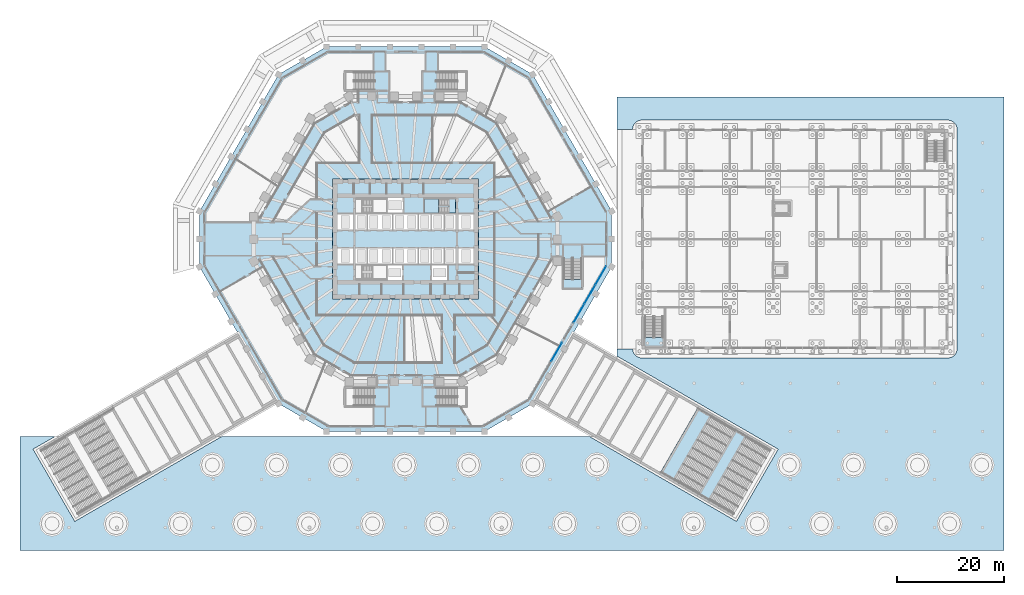
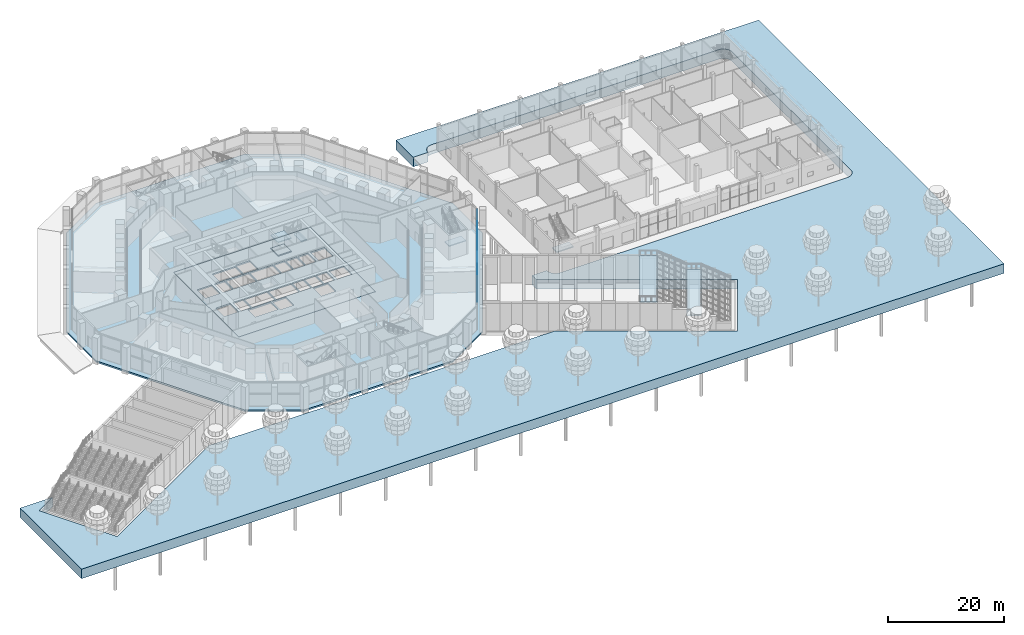
# One storey, part 13 of 44: 10 slabs, 8 plates, 6 elements without a shape of their own.
"""IFC4 building model written with IfcOpenShell, lengths in metres."""

from ifc_helpers import new_model, si_unit, direction, frame, origin, origin_2d, place, context, subcontext, project, spatial, polyline, rectangle, outline, extrude, material, layer, layer_set, type_object, element, aggregate, save


model = new_model("IFC4")

# Units and contexts
model_context = context("Model", 3, precision=1e-05, world=origin(), true_north=direction((0.0, 1.0)))
body_context = subcontext(model_context, "Body", "Model", "MODEL_VIEW")
ifc_project = project(units=[si_unit("LENGTHUNIT", "METRE"), si_unit("AREAUNIT", "SQUARE_METRE"), si_unit("VOLUMEUNIT", "CUBIC_METRE"), si_unit("PLANEANGLEUNIT", "RADIAN"), si_unit("MASSUNIT", "GRAM", prefix="KILO")], contexts=[model_context])

# Site, building, storey
site_placement = place(None, origin())
site = spatial("IfcSite", under=ifc_project, at=site_placement, CompositionType="ELEMENT")
building_placement = place(site_placement, origin())
building = spatial("IfcBuilding", under=site, at=building_placement, Name="Frailejon Research Tower", CompositionType="ELEMENT")
storey_placement = place(building_placement, origin())
storey = spatial("IfcBuildingStorey", under=building, at=storey_placement, Name="L00", CompositionType="ELEMENT", Elevation=0.0)

# Stair, slabs
ifc_material_1 = material(Name="Concrete C35/45", Category="concrete")
stair_type_1 = type_object("IfcStairType", Name="Broad stair", PredefinedType="STRAIGHT_RUN_STAIR", material=ifc_material_1)
stair_1_placement = place(storey_placement, origin())
stair_1 = element("IfcStair", 1, at=stair_1_placement, inside=storey, type_object=stair_type_1, Name="Broad stair E1", PredefinedType="STRAIGHT_RUN_STAIR")
ifc_material_2 = material(Name="Concrete C35/45", Category="concrete")
ifc_layer_1 = layer(ifc_material_2, 0.199951171875)
ifc_layer_set_1 = layer_set([ifc_layer_1], Name="Broad stair landing")
slab_type_1 = type_object("IfcSlabType", Name="Broad stair landing", PredefinedType="LANDING", material=ifc_layer_set_1)
slab_1_placement = place(storey_placement, frame((0.0, 0.0, 5.39990234375)))
slab_1 = element("IfcSlab", 2, at=slab_1_placement, type_object=slab_type_1, Name="SS-E1 landing 1", PredefinedType="LANDING", context=body_context, shape_type="SweptSolid", body=[
    extrude(outline(polyline([(47.689453125, -43.699462890625), (50.374267578125, -45.24951171875), (57.374267578125, -33.125), (54.689453125, -31.574951171875), (47.689453125, -43.699462890625)])), origin(), (0.0, 0.0, 1.0), 0.2001953125),
])
slab_2_placement = place(storey_placement, frame((0.0, 0.0, 2.60009765625)))
slab_2 = element("IfcSlab", 3, at=slab_2_placement, type_object=slab_type_1, Name="SS-E1 landing 2", PredefinedType="LANDING", context=body_context, shape_type="SweptSolid", body=[
    extrude(outline(polyline([(54.704345703125, -47.74951171875), (56.9560546875, -49.04931640625), (63.9560546875, -36.925048828125), (61.704345703125, -35.625), (54.704345703125, -47.74951171875)])), origin(), (0.0, 0.0, 1.0), 0.199951171875),
])
aggregate(stair_1, [slab_1, slab_2])

# Slab
ifc_material_3 = material(Name="Concrete C70/85", Category="concrete")
ifc_layer_2 = layer(ifc_material_3, 0.300048828125)
ifc_layer_set_2 = layer_set([ifc_layer_2], Name="Core floor slab 300 C70/85")
slab_type_2 = type_object("IfcSlabType", Name="Core floor slab 300 C70/85", PredefinedType="FLOOR", material=ifc_layer_set_2)
slab_3_placement = place(storey_placement, frame((0.0, 0.0, -0.300048828125)))
element("IfcSlab", 4, at=slab_3_placement, inside=storey, type_object=slab_type_2, Name="Core floor slab", PredefinedType="FLOOR", context=body_context, shape_type="SweptSolid", body=[
    extrude(outline(polyline([(13.64990234375, -11.25), (13.64990234375, 11.25), (-13.64990234375, 11.25), (-13.64990234375, -11.25), (13.64990234375, -11.25)]), holes=[polyline([(-9.85009765625, 1.75), (-9.85009765625, 4.64990234375), (-12.75, 4.64990234375), (-12.75, 1.75), (-9.85009765625, 1.75)]), polyline([(-7.300048828125, 1.75), (-7.300048828125, 4.64990234375), (-9.35009765625, 4.64990234375), (-9.35009765625, 1.75), (-7.300048828125, 1.75)]), polyline([(-2.5, 1.75), (-2.5, 4.64990234375), (-7.10009765625, 4.64990234375), (-7.10009765625, 1.75), (-2.5, 1.75)]), polyline([(2.300048828125, 1.75), (2.300048828125, 4.64990234375), (-2.300048828125, 4.64990234375), (-2.300048828125, 1.75), (2.300048828125, 1.75)]), polyline([(4.699951171875, 1.75), (4.699951171875, 4.64990234375), (2.5, 4.64990234375), (2.5, 1.75), (4.699951171875, 1.75)]), polyline([(7.10009765625, 1.75), (7.10009765625, 4.64990234375), (4.89990234375, 4.64990234375), (4.89990234375, 1.75), (7.10009765625, 1.75)]), polyline([(9.35009765625, 1.75), (9.35009765625, 4.64990234375), (7.300048828125, 4.64990234375), (7.300048828125, 1.75), (9.35009765625, 1.75)]), polyline([(12.75, 1.75), (12.75, 4.64990234375), (9.85009765625, 4.64990234375), (9.85009765625, 1.75), (12.75, 1.75)]), polyline([(-9.85009765625, -4.64990234375), (-9.85009765625, -1.75), (-12.75, -1.75), (-12.75, -4.64990234375), (-9.85009765625, -4.64990234375)]), polyline([(-7.300048828125, -4.64990234375), (-7.300048828125, -1.75), (-9.35009765625, -1.75), (-9.35009765625, -4.64990234375), (-7.300048828125, -4.64990234375)]), polyline([(-2.5, -4.64990234375), (-2.5, -1.75), (-7.10009765625, -1.75), (-7.10009765625, -4.64990234375), (-2.5, -4.64990234375)]), polyline([(2.300048828125, -4.64990234375), (2.300048828125, -1.75), (-2.300048828125, -1.75), (-2.300048828125, -4.64990234375), (2.300048828125, -4.64990234375)]), polyline([(4.699951171875, -4.64990234375), (4.699951171875, -1.75), (2.5, -1.75), (2.5, -4.64990234375), (4.699951171875, -4.64990234375)]), polyline([(7.10009765625, -4.64990234375), (7.10009765625, -1.75), (4.89990234375, -1.75), (4.89990234375, -4.64990234375), (7.10009765625, -4.64990234375)]), polyline([(9.35009765625, -4.64990234375), (9.35009765625, -1.75), (7.300048828125, -1.75), (7.300048828125, -4.64990234375), (9.35009765625, -4.64990234375)]), polyline([(12.75, -4.64990234375), (12.75, -1.75), (9.85009765625, -1.75), (9.85009765625, -4.64990234375), (12.75, -4.64990234375)]), polyline([(-8.14697265625, 4.89990234375), (-3.550048828125, 4.89990234375), (-3.550048828125, 7.449951171875), (-8.14697265625, 7.449951171875), (-8.14697265625, 4.89990234375)]), polyline([(-8.14697265625, -7.449951171875), (-3.550048828125, -7.449951171875), (-3.550048828125, -4.89990234375), (-8.14697265625, -4.89990234375), (-8.14697265625, -7.449951171875)]), polyline([(-0.60009765625, -7.699951171875), (-0.60009765625, -4.89990234375), (-3.300048828125, -4.89990234375), (-3.300048828125, -7.699951171875), (-0.60009765625, -7.699951171875)]), polyline([(7.800048828125, -7.699951171875), (7.800048828125, -4.89990234375), (4.89990234375, -4.89990234375), (4.89990234375, -7.699951171875), (7.800048828125, -7.699951171875)]), polyline([(-0.5, 4.89990234375), (-0.5, 7.699951171875), (-3.300048828125, 7.699951171875), (-3.300048828125, 4.89990234375), (-0.5, 4.89990234375)])]), origin(), (0.0, 0.0, 1.0), 0.300048828125),
])

# Stair, slab
ifc_material_4 = material(Name="Concrete C35/45", Category="concrete")
stair_type_2 = type_object("IfcStairType", Name="HC stair", PredefinedType="HALF_TURN_STAIR", material=ifc_material_4)
stair_2_placement = place(storey_placement, origin())
stair_2 = element("IfcStair", 5, at=stair_2_placement, inside=storey, type_object=stair_type_2, Name="L00 HC stair A", PredefinedType="HALF_TURN_STAIR")
ifc_material_5 = material(Name="Concrete C35/45", Category="concrete")
ifc_layer_3 = layer(ifc_material_5, 0.199951171875)
ifc_layer_set_3 = layer_set([ifc_layer_3], Name="HC stair landing")
slab_type_3 = type_object("IfcSlabType", Name="HC stair landing", PredefinedType="LANDING", material=ifc_layer_set_3)
slab_4_placement = place(storey_placement, frame((0.0, 0.0, 2.60009765625)))
slab_4 = element("IfcSlab", 6, at=slab_4_placement, type_object=slab_type_3, Name="HS-A landing 1", PredefinedType="LANDING", context=body_context, shape_type="SweptSolid", body=[
    extrude(outline(polyline([(44.800048828125, -18.419921875), (44.800048828125, -20.02001953125), (48.14990234375, -20.02001953125), (48.14990234375, -18.419921875), (44.800048828125, -18.419921875)])), origin(), (0.0, 0.0, 1.0), 0.199951171875),
])
aggregate(stair_2, [slab_4])

# Curtain wall, plates
ifc_material_6 = material(Name="Aluminium curtain wall", Category="aluminium")
curtain_wall_type = type_object("IfcCurtainWallType", Name="Lobby atrium curtain wall system", PredefinedType="NOTDEFINED", material=ifc_material_6)
curtain_wall_1_placement = place(storey_placement, origin())
curtain_wall_1 = element("IfcCurtainWall", 7, at=curtain_wall_1_placement, inside=storey, type_object=curtain_wall_type, Name="Curtain wall L00", PredefinedType="NOTDEFINED")
ifc_material_7 = material(Name="Clear laminated glass", Category="glass")
ifc_layer_4 = layer(ifc_material_7, 0.035888671875)
ifc_layer_set_4 = layer_set([ifc_layer_4], Name="Lobby atrium curtain wall glass panel 36")
plate_type = type_object("IfcPlateType", Name="Lobby atrium curtain wall glass panel 36", PredefinedType="CURTAIN_PANEL", material=ifc_layer_set_4)
plate_1_placement = place(storey_placement, frame((28.2666015625, -21.140625, 0.080078125), z_axis=(0.0, 0.0, 1.0), x_axis=(0.499999762196, 0.866025541081, 0.0)))
plate_1 = element("IfcPlate", 8, at=plate_1_placement, type_object=plate_type, Name="CW1-019 panel 3.1", PredefinedType="CURTAIN_PANEL", context=body_context, shape_type="SweptSolid", body=[
    extrude(rectangle(XDim=3.989990234375, YDim=0.035888671875, at=origin_2d()), origin(), (0.0, 0.0, 1.0), 2.679931640625),
])
plate_2_placement = place(storey_placement, frame((28.2666015625, -21.140625, 2.83984375), z_axis=(0.0, 0.0, 1.0), x_axis=(0.499999762196, 0.866025541081, 0.0)))
plate_2 = element("IfcPlate", 9, at=plate_2_placement, type_object=plate_type, Name="CW1-019 panel 3.2", PredefinedType="CURTAIN_PANEL", context=body_context, shape_type="SweptSolid", body=[
    extrude(rectangle(XDim=3.989990234375, YDim=0.035888671875, at=origin_2d()), origin(), (0.0, 0.0, 1.0), 2.330078125),
])
aggregate(curtain_wall_1, [plate_1, plate_2])

curtain_wall_2_placement = place(storey_placement, origin())
curtain_wall_2 = element("IfcCurtainWall", 10, at=curtain_wall_2_placement, inside=storey, type_object=curtain_wall_type, Name="Curtain wall L00", PredefinedType="NOTDEFINED")
plate_3_placement = place(storey_placement, frame((32.441650390625, -13.9091796875, 0.080078125), z_axis=(0.0, 0.0, 1.0), x_axis=(0.499999762196, 0.866025541081, 0.0)))
plate_3 = element("IfcPlate", 11, at=plate_3_placement, type_object=plate_type, Name="CW1-020 panel 1.1", PredefinedType="CURTAIN_PANEL", context=body_context, shape_type="SweptSolid", body=[
    extrude(rectangle(XDim=3.989990234375, YDim=0.035888671875, at=origin_2d()), origin(), (0.0, 0.0, 1.0), 2.679931640625),
])
plate_4_placement = place(storey_placement, frame((32.441650390625, -13.9091796875, 2.83984375), z_axis=(0.0, 0.0, 1.0), x_axis=(0.499999762196, 0.866025541081, 0.0)))
plate_4 = element("IfcPlate", 12, at=plate_4_placement, type_object=plate_type, Name="CW1-020 panel 1.2", PredefinedType="CURTAIN_PANEL", context=body_context, shape_type="SweptSolid", body=[
    extrude(rectangle(XDim=3.989990234375, YDim=0.035888671875, at=origin_2d()), origin(), (0.0, 0.0, 1.0), 2.330078125),
])
plate_5_placement = place(storey_placement, frame((34.48681640625, -10.3671875, 0.080078125), z_axis=(0.0, 0.0, 1.0), x_axis=(0.499999762196, 0.866025541081, 0.0)))
plate_5 = element("IfcPlate", 13, at=plate_5_placement, type_object=plate_type, Name="CW1-020 panel 2.1", PredefinedType="CURTAIN_PANEL", context=body_context, shape_type="SweptSolid", body=[
    extrude(rectangle(XDim=4.030029296875, YDim=0.035888671875, at=origin_2d()), origin(), (0.0, 0.0, 1.0), 2.679931640625),
])
plate_6_placement = place(storey_placement, frame((34.48681640625, -10.3671875, 2.83984375), z_axis=(0.0, 0.0, 1.0), x_axis=(0.499999762196, 0.866025541081, 0.0)))
plate_6 = element("IfcPlate", 14, at=plate_6_placement, type_object=plate_type, Name="CW1-020 panel 2.2", PredefinedType="CURTAIN_PANEL", context=body_context, shape_type="SweptSolid", body=[
    extrude(rectangle(XDim=4.030029296875, YDim=0.035888671875, at=origin_2d()), origin(), (0.0, 0.0, 1.0), 2.330078125),
])
plate_7_placement = place(storey_placement, frame((36.53173828125, -6.8251953125, 0.080078125), z_axis=(0.0, 0.0, 1.0), x_axis=(0.499999762196, 0.866025541081, 0.0)))
plate_7 = element("IfcPlate", 15, at=plate_7_placement, type_object=plate_type, Name="CW1-020 panel 3.1", PredefinedType="CURTAIN_PANEL", context=body_context, shape_type="SweptSolid", body=[
    extrude(rectangle(XDim=3.989990234375, YDim=0.035888671875, at=origin_2d()), origin(), (0.0, 0.0, 1.0), 2.679931640625),
])
plate_8_placement = place(storey_placement, frame((36.53173828125, -6.8251953125, 2.83984375), z_axis=(0.0, 0.0, 1.0), x_axis=(0.499999762196, 0.866025541081, 0.0)))
plate_8 = element("IfcPlate", 16, at=plate_8_placement, type_object=plate_type, Name="CW1-020 panel 3.2", PredefinedType="CURTAIN_PANEL", context=body_context, shape_type="SweptSolid", body=[
    extrude(rectangle(XDim=3.989990234375, YDim=0.035888671875, at=origin_2d()), origin(), (0.0, 0.0, 1.0), 2.330078125),
])
aggregate(curtain_wall_2, [plate_3, plate_4, plate_5, plate_6, plate_7, plate_8])

# Slabs
ifc_material_8 = material(Name="Concrete C30/37", Category="concrete")
ifc_layer_5 = layer(ifc_material_8, 2.0)
ifc_layer_set_5 = layer_set([ifc_layer_5], Name="Plaza raft slab 2000")
slab_type_4 = type_object("IfcSlabType", Name="Plaza raft slab 2000", PredefinedType="USERDEFINED", material=ifc_layer_set_5)
slab_5_placement = place(storey_placement, frame((0.0, 0.0, -2.0)))
element("IfcSlab", 17, at=slab_5_placement, inside=storey, type_object=slab_type_4, Name="Plaza paving", ObjectType="PAVING", PredefinedType="USERDEFINED", context=body_context, shape_type="SweptSolid", body=[
    extrude(outline(polyline([(39.569091796875, 20.550048828125), (39.569091796875, 26.550048828125), (112.0, 26.550048828125), (112.0, 20.550048828125), (112.0, -20.550048828125), (112.0, -37.0), (112.0, -58.2958984375), (-72.178955078125, -58.2958984375), (-72.178955078125, -37.0), (-65.685791015625, -37.0), (-69.725341796875, -39.332275390625), (-61.92529296875, -52.84228515625), (-34.48583984375, -37.0), (0.0, -37.0), (14.78466796875, -37.0), (14.78466796875, -37.0), (34.48583984375, -37.0), (61.92529296875, -52.84228515625), (69.725341796875, -39.332275390625), (39.569091796875, -21.921630859375), (39.569091796875, -20.550048828125), (42.5, -20.550048828125), (42.50830078125, -20.716552734375), (42.53271484375, -20.881591796875), (42.5732421875, -21.04345703125), (42.62939453125, -21.20068359375), (42.70068359375, -21.351318359375), (42.78662109375, -21.494384765625), (42.885986328125, -21.62841796875), (42.997802734375, -21.752197265625), (43.12158203125, -21.864013671875), (43.255615234375, -21.96337890625), (43.398681640625, -22.04931640625), (43.54931640625, -22.12060546875), (43.70654296875, -22.1767578125), (43.868408203125, -22.21728515625), (44.033447265625, -22.24169921875), (44.199951171875, -22.25), (101.5, -22.25), (101.66650390625, -22.24169921875), (101.831787109375, -22.21728515625), (101.993408203125, -22.1767578125), (102.150634765625, -22.12060546875), (102.301513671875, -22.04931640625), (102.444580078125, -21.96337890625), (102.57861328125, -21.864013671875), (102.7021484375, -21.752197265625), (102.814208984375, -21.62841796875), (102.91357421875, -21.494384765625), (102.999267578125, -21.351318359375), (103.070556640625, -21.20068359375), (103.126708984375, -21.04345703125), (103.167236328125, -20.881591796875), (103.19189453125, -20.716552734375), (103.199951171875, -20.550048828125), (103.199951171875, 20.550048828125), (103.19189453125, 20.716552734375), (103.167236328125, 20.881591796875), (103.126708984375, 21.04345703125), (103.070556640625, 21.20068359375), (102.999267578125, 21.351318359375), (102.91357421875, 21.494384765625), (102.814208984375, 21.62841796875), (102.7021484375, 21.752197265625), (102.57861328125, 21.864013671875), (102.444580078125, 21.96337890625), (102.301513671875, 22.04931640625), (102.150634765625, 22.12060546875), (101.993408203125, 22.1767578125), (101.831787109375, 22.21728515625), (101.66650390625, 22.24169921875), (101.5, 22.25), (44.199951171875, 22.25), (44.033447265625, 22.24169921875), (43.868408203125, 22.21728515625), (43.70654296875, 22.1767578125), (43.54931640625, 22.12060546875), (43.398681640625, 22.04931640625), (43.255615234375, 21.96337890625), (43.12158203125, 21.864013671875), (42.997802734375, 21.752197265625), (42.885986328125, 21.62841796875), (42.78662109375, 21.494384765625), (42.70068359375, 21.351318359375), (42.62939453125, 21.20068359375), (42.5732421875, 21.04345703125), (42.53271484375, 20.881591796875), (42.50830078125, 20.716552734375), (42.5, 20.550048828125), (39.569091796875, 20.550048828125)])), origin(), (0.0, 0.0, 1.0), 2.0),
])
ifc_material_9 = material(Name="Concrete C40/50", Category="concrete")
ifc_layer_6 = layer(ifc_material_9, 0.35009765625)
ifc_layer_set_6 = layer_set([ifc_layer_6], Name="Slab podium 350")
slab_type_5 = type_object("IfcSlabType", Name="Slab podium 350", PredefinedType="FLOOR", material=ifc_layer_set_6)
slab_6_placement = place(storey_placement, frame((0.0, 0.0, -0.35009765625)))
element("IfcSlab", 18, at=slab_6_placement, inside=storey, type_object=slab_type_5, Name="Floor slab L00", PredefinedType="FLOOR", context=body_context, shape_type="SweptSolid", body=[
    extrude(outline(polyline([(38.569091796875, -5.1962890625), (38.569091796875, 5.1962890625), (23.78466796875, 30.8037109375), (14.78466796875, 36.0), (-14.78466796875, 36.0), (-23.78466796875, 30.8037109375), (-38.569091796875, 5.1962890625), (-38.569091796875, -5.1962890625), (-23.78466796875, -30.8037109375), (-14.78466796875, -36.0), (14.78466796875, -36.0), (23.78466796875, -30.8037109375), (38.569091796875, -5.1962890625)]), holes=[polyline([(13.64990234375, -11.25), (-13.64990234375, -11.25), (-13.64990234375, 11.25), (13.64990234375, 11.25), (13.64990234375, -11.25)])]), origin(), (0.0, 0.0, 1.0), 0.35009765625),
])

# Stair, slabs
ifc_material_10 = material(Name="Concrete C50/60", Category="concrete")
stair_type_3 = type_object("IfcStairType", Name="Exit stair 32 risers", PredefinedType="HALF_TURN_STAIR", material=ifc_material_10)
stair_3_placement = place(storey_placement, origin())
stair_3 = element("IfcStair", 19, at=stair_3_placement, inside=storey, type_object=stair_type_3, Name="L00 Exit stair ST3", PredefinedType="HALF_TURN_STAIR")
ifc_material_11 = material(Name="Concrete C50/60", Category="concrete")
ifc_layer_7 = layer(ifc_material_11, 0.199951171875)
ifc_layer_set_7 = layer_set([ifc_layer_7], Name="Stair landing slab 200")
slab_type_6 = type_object("IfcSlabType", Name="Stair landing slab 200", PredefinedType="LANDING", material=ifc_layer_set_7)
slab_7_placement = place(storey_placement, frame((0.0, 0.0, 1.199951171875)))
slab_7 = element("IfcSlab", 20, at=slab_7_placement, type_object=slab_type_6, Name="ST3 landing 1", PredefinedType="LANDING", context=body_context, shape_type="SweptSolid", body=[
    extrude(outline(polyline([(6.18994140625, 7.449951171875), (3.550048828125, 7.449951171875), (3.550048828125, 4.89990234375), (6.18994140625, 4.89990234375), (6.18994140625, 7.449951171875)])), origin(), (0.0, 0.0, 1.0), 0.199951171875),
])
slab_8_placement = place(storey_placement, frame((0.0, 0.0, 2.60009765625)))
slab_8 = element("IfcSlab", 21, at=slab_8_placement, type_object=slab_type_6, Name="ST3 landing 2", PredefinedType="LANDING", context=body_context, shape_type="SweptSolid", body=[
    extrude(outline(polyline([(9.35009765625, 7.449951171875), (8.14990234375, 7.449951171875), (8.14990234375, 4.89990234375), (9.35009765625, 4.89990234375), (9.35009765625, 7.449951171875)])), origin(), (0.0, 0.0, 1.0), 0.199951171875),
])
slab_9_placement = place(storey_placement, frame((0.0, 0.0, 4.0)))
slab_9 = element("IfcSlab", 22, at=slab_9_placement, type_object=slab_type_6, Name="ST3 landing 3", PredefinedType="LANDING", context=body_context, shape_type="SweptSolid", body=[
    extrude(outline(polyline([(6.18994140625, 7.449951171875), (3.550048828125, 7.449951171875), (3.550048828125, 4.89990234375), (6.18994140625, 4.89990234375), (6.18994140625, 7.449951171875)])), origin(), (0.0, 0.0, 1.0), 0.199951171875),
])
aggregate(stair_3, [slab_7, slab_8, slab_9])

# Stair, slab
ifc_material_12 = material(Name="Concrete C50/60", Category="concrete")
stair_type_4 = type_object("IfcStairType", Name="Exit stair 30 risers", PredefinedType="HALF_TURN_STAIR", material=ifc_material_12)
stair_4_placement = place(storey_placement, origin())
stair_4 = element("IfcStair", 23, at=stair_4_placement, inside=storey, type_object=stair_type_4, Name="L00 Exit stair PS5", PredefinedType="HALF_TURN_STAIR")
slab_10_placement = place(storey_placement, frame((0.0, 0.0, 2.60009765625)))
slab_10 = element("IfcSlab", 24, at=slab_10_placement, type_object=slab_type_6, Name="PS5 landing 1", PredefinedType="LANDING", context=body_context, shape_type="SweptSolid", body=[
    extrude(outline(polyline([(29.587890625, -7.538818359375), (29.587890625, -9.138916015625), (32.937744140625, -9.138916015625), (32.937744140625, -7.538818359375), (29.587890625, -7.538818359375)])), origin(), (0.0, 0.0, 1.0), 0.199951171875),
])
aggregate(stair_4, [slab_10])

save(model, "model.ifc")
